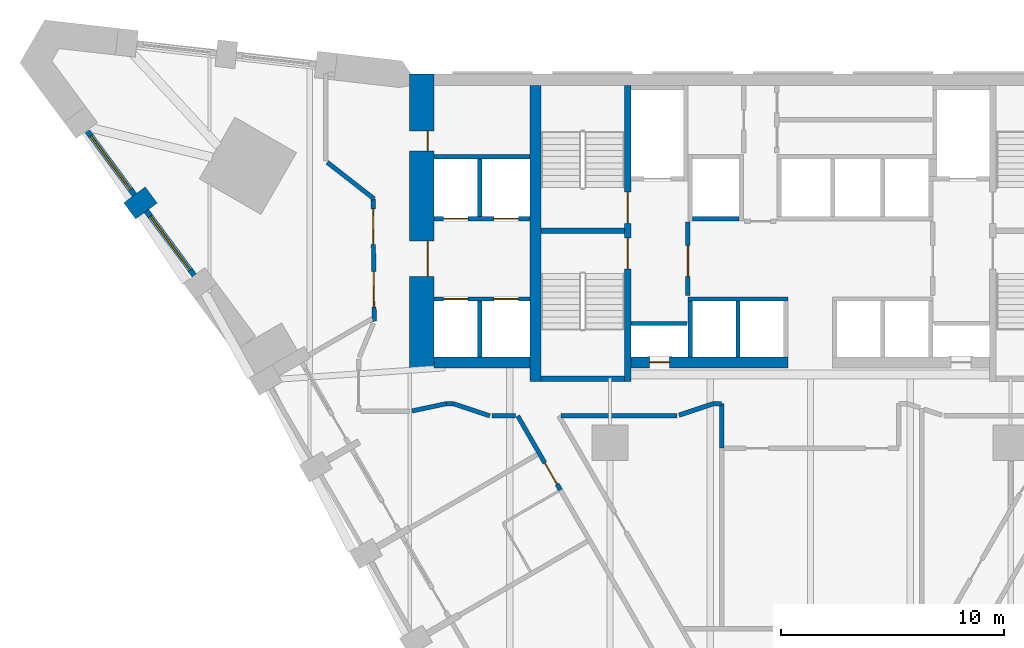
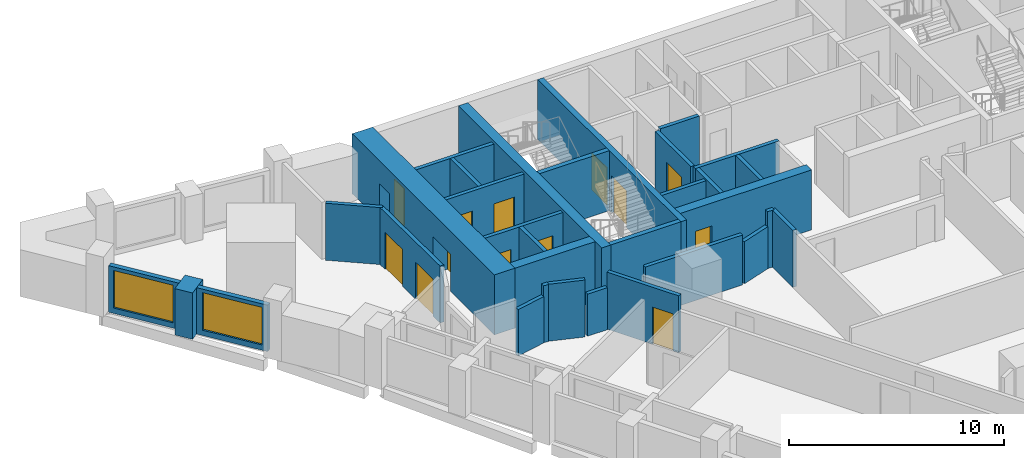
# One storey, part 5 of 10: 32 walls, 13 doors, 2 windows, 15 openings.
"""IFC4 building model written with IfcOpenShell, lengths in metres."""

from ifc_helpers import new_model, si_unit, direction, frame, frame_2d, origin, place, context, subcontext, project, spatial, rectangle, extrude, material, layer, layer_set, type_object, element, fill, save


model = new_model("IFC4")

# Units and contexts
model_context = context("Model", 3, precision=1e-05, world=origin(), true_north=direction((0.0, 1.0)))
body_context = subcontext(model_context, "Body", "Model", "MODEL_VIEW")
ifc_project = project(units=[si_unit("LENGTHUNIT", "METRE"), si_unit("AREAUNIT", "SQUARE_METRE"), si_unit("VOLUMEUNIT", "CUBIC_METRE"), si_unit("PLANEANGLEUNIT", "RADIAN"), si_unit("MASSUNIT", "GRAM", prefix="KILO")], contexts=[model_context])

# Site, building, storey
site_placement = place(None, origin())
site = spatial("IfcSite", under=ifc_project, at=site_placement, CompositionType="ELEMENT")
building_placement = place(site_placement, origin())
building = spatial("IfcBuilding", under=site, at=building_placement, Name="Calabash Gate Tower", CompositionType="ELEMENT")
storey_placement = place(building_placement, frame((0.0, 0.0, 56.199951171875)))
storey = spatial("IfcBuildingStorey", under=building, at=storey_placement, Name="L09", CompositionType="ELEMENT", Elevation=56.199951171875)

# Wall
ifc_material_1 = material(Name="Terracotta brick masonry, exposed face", Category="masonry")
ifc_layer_1 = layer(ifc_material_1, 1.199951171875)
ifc_layer_set_1 = layer_set([ifc_layer_1], Name="Brick end wall 1200")
wall_type_1 = type_object("IfcWallType", Name="Brick end wall 1200", PredefinedType="SOLIDWALL", material=ifc_layer_set_1)
wall_1_placement = place(storey_placement, frame((-30.581787109375, 12.91015625, 0.0), z_axis=(0.0, 0.0, 1.0), x_axis=(0.803549985832, 0.595237280644, 0.0)))
element("IfcWall", 1, at=wall_1_placement, inside=storey, type_object=wall_type_1, Name="Brick pier S02 wedge7.1", PredefinedType="SOLIDWALL", context=body_context, shape_type="SweptSolid", body=[
    extrude(rectangle(XDim=1.2001953125, YDim=0.89990234375, at=frame_2d((0.60009765625, 0.0))), origin(), (0.0, 0.0, 1.0), 2.630126953125),
])

# Wall, openings, doors
ifc_material_2 = material(Name="Concrete C80/95", Category="concrete")
ifc_layer_2 = layer(ifc_material_2, 1.10009765625)
ifc_layer_set_2 = layer_set([ifc_layer_2], Name="Core wall 1100 Concrete C80/95")
wall_type_2 = type_object("IfcWallType", Name="Core wall 1100 Concrete C80/95", PredefinedType="SHEAR", material=ifc_layer_set_2)
wall_2_placement = place(storey_placement, frame((-17.449951171875, 5.8525390625, 0.0), z_axis=(0.0, 0.0, 1.0), x_axis=(0.0, 1.0, 0.0)))
wall_2 = element("IfcWall", 2, at=wall_2_placement, inside=storey, type_object=wall_type_2, Name="Core wall Z1-ENDW L09", PredefinedType="SHEAR", context=body_context, shape_type="SweptSolid", body=[
    extrude(rectangle(XDim=13.199951171875, YDim=1.10009765625, at=frame_2d((6.60009765625, 0.0))), origin(), (0.0, 0.0, 1.0), 3.400146484375),
])
opening_1_placement = place(wall_2_placement, frame((4.10009765625, 0.0, 0.0)))
opening_1 = element("IfcOpeningElement", 3, at=opening_1_placement, cuts=wall_2, Name="Opening H2-003", PredefinedType="OPENING", context=body_context, shape_type="SweptSolid", body=[
    extrude(rectangle(XDim=1.60009765625, YDim=2.10009765625, at=frame_2d((0.800048828125, 1.050048828125))), frame((0.0, 0.56005859375, 0.0), z_axis=(0.0, -1.0, 0.0), x_axis=(1.0, 0.0, 0.0)), (0.0, 0.0, 1.0), 1.1201171875),
])
opening_2_placement = place(wall_2_placement, frame((9.75, 0.0, 0.0)))
opening_2 = element("IfcOpeningElement", 4, at=opening_2_placement, cuts=wall_2, Name="Opening H2-004", PredefinedType="OPENING", context=body_context, shape_type="SweptSolid", body=[
    extrude(rectangle(XDim=0.89990234375, YDim=2.10009765625, at=frame_2d((0.449951171875, 1.050048828125))), frame((0.0, 0.56005859375, 0.0), z_axis=(0.0, -1.0, 0.0), x_axis=(1.0, 0.0, 0.0)), (0.0, 0.0, 1.0), 1.1201171875),
])
ifc_material_3 = material(Name="Steel fire door set with fire-resisting glazing", Category="steel")
door_type_1 = type_object("IfcDoorType", Name="Double fire door D08 1600x2100 FD60", OperationType="DOUBLE_DOOR_SINGLE_SWING", PredefinedType="DOOR", material=ifc_material_3)
door_1_placement = place(opening_1_placement, origin())
door_1 = element("IfcDoor", 5, at=door_1_placement, inside=storey, type_object=door_type_1, Name="Low-rise Lift Lobby W door", OperationType="DOUBLE_DOOR_SINGLE_SWING", OverallHeight=2.10009765625, OverallWidth=1.60009765625, PredefinedType="DOOR", context=body_context, shape_type="SweptSolid", body=[
    extrude(rectangle(XDim=1.60009765625, YDim=2.10009765625, at=frame_2d((0.800048828125, 1.050048828125))), frame((0.0, -0.22509765625, 0.0), z_axis=(0.0, -1.0, 0.0), x_axis=(1.0, 0.0, 0.0)), (0.0, 0.0, 1.0), 0.050048828125),
])
fill(opening_1, door_1)
ifc_material_4 = material(Name="Steel fire door set with fire-resisting glazing", Category="steel")
door_type_2 = type_object("IfcDoorType", Name="Fire door D06 900x2100 FD60", OperationType="NOTDEFINED", PredefinedType="DOOR", material=ifc_material_4)
door_2_placement = place(opening_2_placement, origin())
door_2 = element("IfcDoor", 6, at=door_2_placement, inside=storey, type_object=door_type_2, Name="Luggage Store door", OperationType="SINGLE_SWING_RIGHT", OverallHeight=2.10009765625, OverallWidth=0.89990234375, PredefinedType="DOOR", context=body_context, shape_type="SweptSolid", body=[
    extrude(rectangle(XDim=0.89990234375, YDim=2.10009765625, at=frame_2d((0.449951171875, 1.050048828125))), frame((0.0, -0.22509765625, 0.0), z_axis=(0.0, -1.0, 0.0), x_axis=(1.0, 0.0, 0.0)), (0.0, 0.0, 1.0), 0.050048828125),
])
fill(opening_2, door_2)

# Walls
ifc_material_5 = material(Name="Concrete C80/95", Category="concrete")
ifc_layer_3 = layer(ifc_material_5, 0.25)
ifc_layer_set_3 = layer_set([ifc_layer_3], Name="Core wall 250 Concrete C80/95")
wall_type_3 = type_object("IfcWallType", Name="Core wall 250 Concrete C80/95", PredefinedType="SHEAR", material=ifc_layer_set_3)
for number, where, z_axis, x_axis, name in (
    (7, (-12.10009765625, 12.027587890625, 0.0), (0.0, 0.0, 1.0), (1.0, 0.0, 0.0), "Core wall Z1-MIDW L09"),
    (8, (-12.10009765625, 5.377685546875, 0.0), (0.0, 0.0, 1.0), (1.0, 0.0, 0.0), "Core wall Z1-SSW L09"),
):
    element("IfcWall", number, at=place(storey_placement, frame(where, z_axis=z_axis, x_axis=x_axis)), inside=storey, type_object=wall_type_3, Name=name, PredefinedType="SHEAR", context=body_context, shape_type="SweptSolid", body=[
        extrude(rectangle(XDim=3.75, YDim=0.25, at=frame_2d((1.875, 0.0))), origin(), (0.0, 0.0, 1.0), 3.400146484375),
    ])

# Wall, openings, doors
ifc_material_6 = material(Name="Concrete C80/95", Category="concrete")
ifc_layer_4 = layer(ifc_material_6, 0.300048828125)
ifc_layer_set_4 = layer_set([ifc_layer_4], Name="Core wall 300 Concrete C80/95")
wall_type_4 = type_object("IfcWallType", Name="Core wall 300 Concrete C80/95", PredefinedType="SHEAR", material=ifc_layer_set_4)
wall_3_placement = place(storey_placement, frame((-8.199951171875, 5.252685546875, 0.0), z_axis=(0.0, 0.0, 1.0), x_axis=(0.0, 1.0, 0.0)))
wall_3 = element("IfcWall", 9, at=wall_3_placement, inside=storey, type_object=wall_type_4, Name="Core wall Z1-PARTW L09", PredefinedType="SHEAR", context=body_context, shape_type="SweptSolid", body=[
    extrude(rectangle(XDim=13.2998046875, YDim=0.300048828125, at=frame_2d((6.64990234375, 0.0))), origin(), (0.0, 0.0, 1.0), 3.400146484375),
])
opening_3_placement = place(wall_3_placement, frame((7.10009765625, 0.0, 0.0)))
opening_3 = element("IfcOpeningElement", 10, at=opening_3_placement, cuts=wall_3, Name="Opening H2-013", PredefinedType="OPENING", context=body_context, shape_type="SweptSolid", body=[
    extrude(rectangle(XDim=1.39990234375, YDim=2.10009765625, at=frame_2d((0.699951171875, 1.050048828125))), frame((0.0, 0.159912109375, 0.0), z_axis=(0.0, -1.0, 0.0), x_axis=(1.0, 0.0, 0.0)), (0.0, 0.0, 1.0), 0.320068359375),
])
opening_4_placement = place(wall_3_placement, frame((5.050048828125, 0.0, 0.0)))
opening_4 = element("IfcOpeningElement", 11, at=opening_4_placement, cuts=wall_3, Name="Opening H2-014", PredefinedType="OPENING", context=body_context, shape_type="SweptSolid", body=[
    extrude(rectangle(XDim=1.39990234375, YDim=2.10009765625, at=frame_2d((0.699951171875, 1.050048828125))), frame((0.0, 0.159912109375, 0.0), z_axis=(0.0, -1.0, 0.0), x_axis=(1.0, 0.0, 0.0)), (0.0, 0.0, 1.0), 0.320068359375),
])
ifc_material_7 = material(Name="Steel fire door set with fire-resisting glazing", Category="steel")
door_type_3 = type_object("IfcDoorType", Name="Fire door D05 1400x2100 FD90", OperationType="NOTDEFINED", PredefinedType="DOOR", material=ifc_material_7)
door_3_placement = place(opening_3_placement, origin())
door_3 = element("IfcDoor", 12, at=door_3_placement, inside=storey, type_object=door_type_3, Name="Exit stair door ST1", OperationType="SINGLE_SWING_LEFT", OverallHeight=2.10009765625, OverallWidth=1.39990234375, PredefinedType="DOOR", context=body_context, shape_type="SweptSolid", body=[
    extrude(rectangle(XDim=1.39990234375, YDim=2.10009765625, at=frame_2d((0.699951171875, 1.050048828125))), frame((0.0, 0.02490234375, 0.0), z_axis=(0.0, -1.0, 0.0), x_axis=(1.0, 0.0, 0.0)), (0.0, 0.0, 1.0), 0.050048828125),
])
fill(opening_3, door_3)
door_4_placement = place(opening_4_placement, origin())
door_4 = element("IfcDoor", 13, at=door_4_placement, inside=storey, type_object=door_type_3, Name="Exit stair door ST2", OperationType="SINGLE_SWING_LEFT", OverallHeight=2.10009765625, OverallWidth=1.39990234375, PredefinedType="DOOR", context=body_context, shape_type="SweptSolid", body=[
    extrude(rectangle(XDim=1.39990234375, YDim=2.10009765625, at=frame_2d((0.699951171875, 1.050048828125))), frame((0.0, 0.02490234375, 0.0), z_axis=(0.0, -1.0, 0.0), x_axis=(1.0, 0.0, 0.0)), (0.0, 0.0, 1.0), 0.050048828125),
])
fill(opening_4, door_4)

# Wall
ifc_material_8 = material(Name="Concrete C80/95", Category="concrete")
ifc_layer_5 = layer(ifc_material_8, 0.5)
ifc_layer_set_5 = layer_set([ifc_layer_5], Name="Core wall 500 Concrete C80/95")
wall_type_5 = type_object("IfcWallType", Name="Core wall 500 Concrete C80/95", PredefinedType="SHEAR", material=ifc_layer_set_5)
wall_4_placement = place(storey_placement, frame((-12.35009765625, 5.252685546875, 0.0), z_axis=(0.0, 0.0, 1.0), x_axis=(0.0, 1.0, 0.0)))
element("IfcWall", 14, at=wall_4_placement, inside=storey, type_object=wall_type_5, Name="Core wall Z1-COLW L09", PredefinedType="SHEAR", context=body_context, shape_type="SweptSolid", body=[
    extrude(rectangle(XDim=13.2998046875, YDim=0.5, at=frame_2d((6.64990234375, 0.0))), origin(), (0.0, 0.0, 1.0), 3.400146484375),
])

# Wall, opening, door
wall_5_placement = place(storey_placement, frame((-8.050048828125, 6.1025390625, 0.0), z_axis=(0.0, 0.0, 1.0), x_axis=(1.0, 0.0, 0.0)))
wall_5 = element("IfcWall", 15, at=wall_5_placement, inside=storey, type_object=wall_type_5, Name="Core wall Z1-SA L09", PredefinedType="SHEAR", context=body_context, shape_type="SweptSolid", body=[
    extrude(rectangle(XDim=7.050048828125, YDim=0.5, at=frame_2d((3.52490234375, 0.0))), origin(), (0.0, 0.0, 1.0), 3.400146484375),
])
opening_5_placement = place(wall_5_placement, frame((0.824951171875, 0.0, 0.0)))
opening_5 = element("IfcOpeningElement", 16, at=opening_5_placement, cuts=wall_5, Name="Opening H2-012", PredefinedType="OPENING", context=body_context, shape_type="SweptSolid", body=[
    extrude(rectangle(XDim=0.89990234375, YDim=2.10009765625, at=frame_2d((0.449951171875, 1.050048828125))), frame((0.0, 0.260009765625, 0.0), z_axis=(0.0, -1.0, 0.0), x_axis=(1.0, 0.0, 0.0)), (0.0, 0.0, 1.0), 0.52001953125),
])
ifc_material_9 = material(Name="Steel fire door set with fire-resisting glazing", Category="steel")
door_type_4 = type_object("IfcDoorType", Name="Fire door D07 900x2100 FD90", OperationType="NOTDEFINED", PredefinedType="DOOR", material=ifc_material_9)
door_5_placement = place(opening_5_placement, origin())
door_5 = element("IfcDoor", 17, at=door_5_placement, inside=storey, type_object=door_type_4, Name="Electrical Riser W door", OperationType="SINGLE_SWING_LEFT", OverallHeight=2.10009765625, OverallWidth=0.89990234375, PredefinedType="DOOR", context=body_context, shape_type="SweptSolid", body=[
    extrude(rectangle(XDim=0.89990234375, YDim=2.10009765625, at=frame_2d((0.449951171875, 1.050048828125))), frame((0.0, 0.02490234375, 0.0), z_axis=(0.0, -1.0, 0.0), x_axis=(1.0, 0.0, 0.0)), (0.0, 0.0, 1.0), 0.050048828125),
])
fill(opening_5, door_5)

# Wall
wall_6_placement = place(storey_placement, frame((-12.60009765625, 6.1025390625, 0.0), z_axis=(0.0, 0.0, 1.0), x_axis=(-1.0, 0.0, 0.0)))
element("IfcWall", 18, at=wall_6_placement, inside=storey, type_object=wall_type_5, Name="Core wall Z1-SW L09", PredefinedType="SHEAR", context=body_context, shape_type="SweptSolid", body=[
    extrude(rectangle(XDim=4.2998046875, YDim=0.5, at=frame_2d((2.14990234375, 0.0))), origin(), (0.0, 0.0, 1.0), 3.400146484375),
])

# Wall, opening, door
ifc_material_10 = material(Name="Gypsum board on steel studs, mineral wool", Category="steel")
ifc_layer_6 = layer(ifc_material_10, 0.199951171875)
ifc_layer_set_6 = layer_set([ifc_layer_6], Name="Partition 200 gypsum board EI 60")
wall_type_6 = type_object("IfcWallType", Name="Partition 200 gypsum board EI 60", PredefinedType="PARTITIONING", material=ifc_layer_set_6)
wall_7_placement = place(storey_placement, frame((-13.1474609375, 3.699462890625, 0.0), z_axis=(0.0, 0.0, 1.0), x_axis=(0.499337423021, -0.866407604982, 0.0)))
wall_7 = element("IfcWall", 19, at=wall_7_placement, inside=storey, type_object=wall_type_6, Name="Partition", PredefinedType="PARTITIONING", context=body_context, shape_type="SweptSolid", body=[
    extrude(rectangle(XDim=3.843017578125, YDim=0.199951171875, at=frame_2d((1.92138671875, 0.0))), origin(), (0.0, 0.0, 1.0), 3.22998046875),
])
opening_6_placement = place(wall_7_placement, frame((2.443115234375, 0.0, 0.0)))
opening_6 = element("IfcOpeningElement", 20, at=opening_6_placement, cuts=wall_7, Name="Opening 09-11-001", PredefinedType="OPENING", context=body_context, shape_type="SweptSolid", body=[
    extrude(rectangle(XDim=1.10009765625, YDim=2.10009765625, at=frame_2d((0.550048828125, 1.050048828125))), frame((0.0, 0.10986328125, 0.0), z_axis=(0.0, -1.0, 0.0), x_axis=(1.0, 0.0, 0.0)), (0.0, 0.0, 1.0), 0.219970703125),
])
ifc_material_11 = material(Name="Steel fire door set with fire-resisting glazing", Category="steel")
door_type_5 = type_object("IfcDoorType", Name="GD2 Accessible guest room entrance door 1100x2100", OperationType="NOTDEFINED", PredefinedType="DOOR", material=ifc_material_11)
door_6_placement = place(opening_6_placement, origin())
door_6 = element("IfcDoor", 21, at=door_6_placement, inside=storey, type_object=door_type_5, Name="Accessible guest room entrance door", OperationType="SINGLE_SWING_RIGHT", OverallHeight=2.10009765625, OverallWidth=1.10009765625, PredefinedType="DOOR", context=body_context, shape_type="SweptSolid", body=[
    extrude(rectangle(XDim=1.10009765625, YDim=2.10009765625, at=frame_2d((0.550048828125, 1.050048828125))), frame((0.0, 0.02490234375, 0.0), z_axis=(0.0, -1.0, 0.0), x_axis=(1.0, 0.0, 0.0)), (0.0, 0.0, 1.0), 0.050048828125),
])
fill(opening_6, door_6)

# Walls
wall_8_placement = place(storey_placement, frame((-3.98193359375, 4.25048828125, 0.0), z_axis=(0.0, 0.0, 1.0), x_axis=(0.000855327155, -0.999999634208, 0.0)))
element("IfcWall", 22, at=wall_8_placement, inside=storey, type_object=wall_type_6, Name="Partition", PredefinedType="PARTITIONING", context=body_context, shape_type="SweptSolid", body=[
    extrude(rectangle(XDim=1.998046875, YDim=0.199951171875, at=frame_2d((0.9990234375, 0.0))), origin(), (0.0, 0.0, 1.0), 3.22998046875),
])
wall_9_placement = place(storey_placement, frame((-16.057861328125, 4.252197265625, 0.0), z_axis=(0.0, 0.0, 1.0), x_axis=(0.948655351627, -0.316311592943, 0.0)))
element("IfcWall", 23, at=wall_9_placement, inside=storey, type_object=wall_type_6, Name="Partition", PredefinedType="PARTITIONING", context=body_context, shape_type="SweptSolid", body=[
    extrude(rectangle(XDim=1.747314453125, YDim=0.199951171875, at=frame_2d((0.87353515625, 0.0))), origin(), (0.0, 0.0, 1.0), 3.22998046875),
])
wall_10_placement = place(storey_placement, frame((-14.300048828125, 3.699462890625, 0.0), z_axis=(0.0, 0.0, 1.0), x_axis=(1.0, 0.0, 0.0)))
element("IfcWall", 24, at=wall_10_placement, inside=storey, type_object=wall_type_6, Name="Partition", PredefinedType="PARTITIONING", context=body_context, shape_type="SweptSolid", body=[
    extrude(rectangle(XDim=1.052490234375, YDim=0.199951171875, at=frame_2d((0.5263671875, 0.0))), origin(), (0.0, 0.0, 1.0), 2.384033203125),
])
wall_11_placement = place(storey_placement, frame((-11.199462890625, 3.69970703125, 0.0), z_axis=(0.0, 0.0, 1.0), x_axis=(1.0, 0.0, 0.0)))
element("IfcWall", 25, at=wall_11_placement, inside=storey, type_object=wall_type_6, Name="Partition", PredefinedType="PARTITIONING", context=body_context, shape_type="SweptSolid", body=[
    extrude(rectangle(XDim=5.199462890625, YDim=0.199951171875, at=frame_2d((2.599609375, 0.0))), origin(), (0.0, 0.0, 1.0), 2.83154296875),
])
wall_12_placement = place(storey_placement, frame((-17.902099609375, 3.92041015625, 0.0), z_axis=(0.0, 0.0, 1.0), x_axis=(0.978117199083, 0.208054667953, 0.0)))
element("IfcWall", 26, at=wall_12_placement, inside=storey, type_object=wall_type_6, Name="Partition", PredefinedType="PARTITIONING", context=body_context, shape_type="SweptSolid", body=[
    extrude(rectangle(XDim=1.5947265625, YDim=0.199951171875, at=frame_2d((0.79736328125, 0.0))), origin(), (0.0, 0.0, 1.0), 2.6279296875),
])
wall_13_placement = place(storey_placement, frame((-16.34228515625, 4.252197265625, 0.0), z_axis=(0.0, 0.0, 1.0), x_axis=(1.0, 0.0, 0.0)))
element("IfcWall", 27, at=wall_13_placement, inside=storey, type_object=wall_type_6, Name="Partition", PredefinedType="PARTITIONING", context=body_context, shape_type="SweptSolid", body=[
    extrude(rectangle(XDim=0.284423828125, YDim=0.199951171875, at=frame_2d((0.14208984375, 0.0))), origin(), (0.0, 0.0, 1.0), 3.22998046875),
])
wall_14_placement = place(storey_placement, frame((-5.905029296875, 3.7314453125, 0.0), z_axis=(0.0, 0.0, 1.0), x_axis=(0.948668476379, 0.316272227557, 0.0)))
element("IfcWall", 28, at=wall_14_placement, inside=storey, type_object=wall_type_6, Name="Partition", PredefinedType="PARTITIONING", context=body_context, shape_type="SweptSolid", body=[
    extrude(rectangle(XDim=1.647216796875, YDim=0.199951171875, at=frame_2d((0.82373046875, 0.0))), origin(), (0.0, 0.0, 1.0), 2.384033203125),
])
wall_15_placement = place(storey_placement, frame((-4.34228515625, 4.25244140625, 0.0), z_axis=(0.0, 0.0, 1.0), x_axis=(0.99998531183, -0.00541997459, 0.0)))
element("IfcWall", 29, at=wall_15_placement, inside=storey, type_object=wall_type_6, Name="Partition", PredefinedType="PARTITIONING", context=body_context, shape_type="SweptSolid", body=[
    extrude(rectangle(XDim=0.3603515625, YDim=0.199951171875, at=frame_2d((0.18017578125, 0.0))), origin(), (0.0, 0.0, 1.0), 3.22998046875),
])

# Wall, openings, doors
wall_16_placement = place(storey_placement, frame((-19.6494140625, 13.451904296875, 0.0), z_axis=(0.0, 0.0, 1.0), x_axis=(0.00887867333, -0.999960583803, 0.0)))
wall_16 = element("IfcWall", 30, at=wall_16_placement, inside=storey, type_object=wall_type_6, Name="Partition", PredefinedType="PARTITIONING", context=body_context, shape_type="SweptSolid", body=[
    extrude(rectangle(XDim=5.49951171875, YDim=0.199951171875, at=frame_2d((2.749755859375, 0.0))), origin(), (0.0, 0.0, 1.0), 3.22998046875),
])
opening_7_placement = place(wall_16_placement, frame((3.265625, 0.0, 0.0)))
opening_7 = element("IfcOpeningElement", 31, at=opening_7_placement, cuts=wall_16, Name="Opening 09-11-016", PredefinedType="OPENING", context=body_context, shape_type="SweptSolid", body=[
    extrude(rectangle(XDim=1.60009765625, YDim=2.10009765625, at=frame_2d((0.800048828125, 1.050048828125))), frame((0.0, 0.10986328125, 0.0), z_axis=(0.0, -1.0, 0.0), x_axis=(1.0, 0.0, 0.0)), (0.0, 0.0, 1.0), 0.219970703125),
])
opening_8_placement = place(wall_16_placement, frame((0.4501953125, 0.0, 0.0)))
opening_8 = element("IfcOpeningElement", 32, at=opening_8_placement, cuts=wall_16, Name="Opening 09-11-017", PredefinedType="OPENING", context=body_context, shape_type="SweptSolid", body=[
    extrude(rectangle(XDim=1.60009765625, YDim=2.10009765625, at=frame_2d((0.800048828125, 1.050048828125))), frame((0.0, 0.10986328125, 0.0), z_axis=(0.0, -1.0, 0.0), x_axis=(1.0, 0.0, 0.0)), (0.0, 0.0, 1.0), 0.219970703125),
])
ifc_material_12 = material(Name="Steel fire door set with fire-resisting glazing", Category="steel")
door_type_6 = type_object("IfcDoorType", Name="LD1 Lounge double door 1600x2100", OperationType="NOTDEFINED", PredefinedType="DOOR", material=ifc_material_12)
door_7_placement = place(opening_7_placement, origin())
door_7 = element("IfcDoor", 33, at=door_7_placement, inside=storey, type_object=door_type_6, Name="Lounge double door", OperationType="DOUBLE_DOOR_SINGLE_SWING", OverallHeight=2.10009765625, OverallWidth=1.60009765625, PredefinedType="DOOR", context=body_context, shape_type="SweptSolid", body=[
    extrude(rectangle(XDim=1.60009765625, YDim=2.10009765625, at=frame_2d((0.800048828125, 1.050048828125))), frame((0.0, 0.02490234375, 0.0), z_axis=(0.0, -1.0, 0.0), x_axis=(1.0, 0.0, 0.0)), (0.0, 0.0, 1.0), 0.050048828125),
])
fill(opening_7, door_7)
door_8_placement = place(opening_8_placement, origin())
door_8 = element("IfcDoor", 34, at=door_8_placement, inside=storey, type_object=door_type_6, Name="Lounge double door", OperationType="DOUBLE_DOOR_SINGLE_SWING", OverallHeight=2.10009765625, OverallWidth=1.60009765625, PredefinedType="DOOR", context=body_context, shape_type="SweptSolid", body=[
    extrude(rectangle(XDim=1.60009765625, YDim=2.10009765625, at=frame_2d((0.800048828125, 1.050048828125))), frame((0.0, 0.02490234375, 0.0), z_axis=(0.0, -1.0, 0.0), x_axis=(1.0, 0.0, 0.0)), (0.0, 0.0, 1.0), 0.050048828125),
])
fill(opening_8, door_8)

# Wall
wall_17_placement = place(storey_placement, frame((-21.703369140625, 15.0908203125, 0.0), z_axis=(0.0, 0.0, 1.0), x_axis=(0.788819319895, -0.614625154513, 0.0)))
element("IfcWall", 35, at=wall_17_placement, inside=storey, type_object=wall_type_6, Name="Partition", PredefinedType="PARTITIONING", context=body_context, shape_type="SweptSolid", body=[
    extrude(rectangle(XDim=2.665771484375, YDim=0.199951171875, at=frame_2d((1.3330078125, 0.0))), origin(), (0.0, 0.0, 1.0), 3.22998046875),
])

# Wall, opening, window
ifc_material_13 = material(Name="Aluminium framed window wall with insulated spandrel", Category="aluminium")
ifc_layer_7 = layer(ifc_material_13, 0.25)
ifc_layer_set_7 = layer_set([ifc_layer_7], Name="Prow window wall 250")
wall_type_7 = type_object("IfcWallType", Name="Prow window wall 250", PredefinedType="ELEMENTEDWALL", material=ifc_layer_set_7)
wall_18_placement = place(storey_placement, frame((-32.480712890625, 16.481201171875, 0.0), z_axis=(0.0, 0.0, 1.0), x_axis=(0.595304805086, -0.803499962067, 0.0)))
wall_18 = element("IfcWall", 36, at=wall_18_placement, inside=storey, type_object=wall_type_7, Name="Prow window wall S02 wedge7.1", PredefinedType="ELEMENTEDWALL", context=body_context, shape_type="SweptSolid", body=[
    extrude(rectangle(XDim=3.552001953125, YDim=0.25, at=frame_2d((1.77587890625, 0.0))), origin(), (0.0, 0.0, 1.0), 2.630126953125),
])
opening_9_placement = place(wall_18_placement, frame((0.25, 0.0, 0.300048828125)))
opening_9 = element("IfcOpeningElement", 37, at=opening_9_placement, cuts=wall_18, Name="Opening WP1L-2130", PredefinedType="OPENING", context=body_context, shape_type="SweptSolid", body=[
    extrude(rectangle(XDim=3.0, YDim=2.1298828125, at=frame_2d((1.5, 1.06494140625))), frame((0.0, 0.135009765625, 0.0), z_axis=(0.0, -1.0, 0.0), x_axis=(1.0, 0.0, 0.0)), (0.0, 0.0, 1.0), 0.27001953125),
])
ifc_material_14 = material(Name="Anodised aluminium frame, bronze finish, impact-rated laminated clear glazing", Category="aluminium")
window_type = type_object("IfcWindowType", Name="Window WP1L 3000x2130", PartitioningType="DOUBLE_PANEL_VERTICAL", PredefinedType="WINDOW", material=ifc_material_14)
window_1_placement = place(opening_9_placement, origin())
window_1 = element("IfcWindow", 38, at=window_1_placement, inside=storey, type_object=window_type, Name="Prow window WP1L S02 wedge7.1", OverallHeight=2.1298828125, OverallWidth=3.0, PartitioningType="SINGLE_PANEL", PredefinedType="WINDOW", context=body_context, shape_type="SweptSolid", body=[
    extrude(rectangle(XDim=3.0, YDim=2.1298828125, at=frame_2d((1.5, 1.06494140625))), frame((0.0, 0.030029296875, 0.0), z_axis=(0.0, -1.0, 0.0), x_axis=(1.0, 0.0, 0.0)), (0.0, 0.0, 1.0), 0.06005859375),
])
fill(opening_9, window_1)

wall_19_placement = place(storey_placement, frame((-29.831787109375, 12.905517578125, 0.0), z_axis=(0.0, 0.0, 1.0), x_axis=(0.595302153335, -0.803501926715, 0.0)))
wall_19 = element("IfcWall", 39, at=wall_19_placement, inside=storey, type_object=wall_type_7, Name="Prow window wall S02 wedge7.2", PredefinedType="ELEMENTEDWALL", context=body_context, shape_type="SweptSolid", body=[
    extrude(rectangle(XDim=3.599853515625, YDim=0.25, at=frame_2d((1.7998046875, 0.0))), origin(), (0.0, 0.0, 1.0), 2.630126953125),
])
opening_10_placement = place(wall_19_placement, frame((0.300048828125, 0.0, 0.300048828125)))
opening_10 = element("IfcOpeningElement", 40, at=opening_10_placement, cuts=wall_19, Name="Opening WP1L-2130", PredefinedType="OPENING", context=body_context, shape_type="SweptSolid", body=[
    extrude(rectangle(XDim=3.0, YDim=2.1298828125, at=frame_2d((1.5, 1.06494140625))), frame((0.0, 0.135009765625, 0.0), z_axis=(0.0, -1.0, 0.0), x_axis=(1.0, 0.0, 0.0)), (0.0, 0.0, 1.0), 0.27001953125),
])
window_2_placement = place(opening_10_placement, origin())
window_2 = element("IfcWindow", 41, at=window_2_placement, inside=storey, type_object=window_type, Name="Prow window WP1L S02 wedge7.2", OverallHeight=2.1298828125, OverallWidth=3.0, PartitioningType="SINGLE_PANEL", PredefinedType="WINDOW", context=body_context, shape_type="SweptSolid", body=[
    extrude(rectangle(XDim=3.0, YDim=2.1298828125, at=frame_2d((1.5, 1.06494140625))), frame((0.0, 0.030029296875, 0.0), z_axis=(0.0, -1.0, 0.0), x_axis=(1.0, 0.0, 0.0)), (0.0, 0.0, 1.0), 0.06005859375),
])
fill(opening_10, window_2)

# Walls
ifc_material_15 = material(Name="Concrete C40/50", Category="concrete")
ifc_layer_8 = layer(ifc_material_15, 0.199951171875)
ifc_layer_set_8 = layer_set([ifc_layer_8], Name="Shaft wall 200 Concrete C40/50")
wall_type_8 = type_object("IfcWallType", Name="Shaft wall 200 Concrete C40/50", PredefinedType="SOLIDWALL", material=ifc_layer_set_8)
for number, where, z_axis, x_axis, name in (
    (42, (-14.85009765625, 6.3525390625, 0.0), (0.0, 0.0, 1.0), (0.0, 1.0, 0.0), "Shaft wall"),
    (43, (-5.39990234375, 6.3525390625, 0.0), (0.0, 0.0, 1.0), (0.0, 1.0, 0.0), "Shaft wall"),
    (44, (-3.25, 6.3525390625, 0.0), (0.0, 0.0, 1.0), (0.0, 1.0, 0.0), "Shaft wall"),
    (45, (-8.050048828125, 7.8525390625, 0.0), (0.0, 0.0, 1.0), (1.0, 0.0, 0.0), "Shaft wall"),
):
    element("IfcWall", number, at=place(storey_placement, frame(where, z_axis=z_axis, x_axis=x_axis)), inside=storey, type_object=wall_type_8, Name=name, PredefinedType="SOLIDWALL", context=body_context, shape_type="SweptSolid", body=[
        extrude(rectangle(XDim=2.5, YDim=0.199951171875, at=frame_2d((1.25, 0.0))), origin(), (0.0, 0.0, 1.0), 3.22998046875),
    ])

# Wall, openings, doors
wall_20_placement = place(storey_placement, frame((-16.89990234375, 8.95263671875, 0.0), z_axis=(0.0, 0.0, 1.0), x_axis=(1.0, 0.0, 0.0)))
wall_20 = element("IfcWall", 46, at=wall_20_placement, inside=storey, type_object=wall_type_8, Name="Shaft wall", PredefinedType="SOLIDWALL", context=body_context, shape_type="SweptSolid", body=[
    extrude(rectangle(XDim=4.2998046875, YDim=0.199951171875, at=frame_2d((2.14990234375, 0.0))), origin(), (0.0, 0.0, 1.0), 3.22998046875),
])
opening_11_placement = place(wall_20_placement, frame((2.675048828125, 0.0, 0.0)))
opening_11 = element("IfcOpeningElement", 47, at=opening_11_placement, cuts=wall_20, Name="Opening LD-LR1", PredefinedType="OPENING", context=body_context, shape_type="SweptSolid", body=[
    extrude(rectangle(XDim=1.10009765625, YDim=2.10009765625, at=frame_2d((0.550048828125, 1.050048828125))), frame((0.0, 0.10986328125, 0.0), z_axis=(0.0, -1.0, 0.0), x_axis=(1.0, 0.0, 0.0)), (0.0, 0.0, 1.0), 0.219970703125),
])
opening_12_placement = place(wall_20_placement, frame((0.425048828125, 0.0, 0.0)))
opening_12 = element("IfcOpeningElement", 48, at=opening_12_placement, cuts=wall_20, Name="Opening LD-LR2", PredefinedType="OPENING", context=body_context, shape_type="SweptSolid", body=[
    extrude(rectangle(XDim=1.10009765625, YDim=2.10009765625, at=frame_2d((0.550048828125, 1.050048828125))), frame((0.0, 0.10986328125, 0.0), z_axis=(0.0, -1.0, 0.0), x_axis=(1.0, 0.0, 0.0)), (0.0, 0.0, 1.0), 0.219970703125),
])
ifc_material_16 = material(Name="Stainless steel sliding door leaves", Category="steel")
door_type_7 = type_object("IfcDoorType", Name="Lift landing door LS1 1100x2100 FD90", OperationType="DOUBLE_DOOR_SLIDING", PredefinedType="DOOR", material=ifc_material_16)
door_9_placement = place(opening_11_placement, origin())
door_9 = element("IfcDoor", 49, at=door_9_placement, inside=storey, type_object=door_type_7, Name="Lift landing door LR1", OperationType="DOUBLE_DOOR_SLIDING", OverallHeight=2.10009765625, OverallWidth=1.10009765625, PredefinedType="DOOR", context=body_context, shape_type="SweptSolid", body=[
    extrude(rectangle(XDim=1.10009765625, YDim=2.10009765625, at=frame_2d((0.550048828125, 1.050048828125))), frame((0.0, 0.02490234375, 0.0), z_axis=(0.0, -1.0, 0.0), x_axis=(1.0, 0.0, 0.0)), (0.0, 0.0, 1.0), 0.050048828125),
])
fill(opening_11, door_9)
door_10_placement = place(opening_12_placement, origin())
door_10 = element("IfcDoor", 50, at=door_10_placement, inside=storey, type_object=door_type_7, Name="Lift landing door LR2", OperationType="DOUBLE_DOOR_SLIDING", OverallHeight=2.10009765625, OverallWidth=1.10009765625, PredefinedType="DOOR", context=body_context, shape_type="SweptSolid", body=[
    extrude(rectangle(XDim=1.10009765625, YDim=2.10009765625, at=frame_2d((0.550048828125, 1.050048828125))), frame((0.0, 0.02490234375, 0.0), z_axis=(0.0, -1.0, 0.0), x_axis=(1.0, 0.0, 0.0)), (0.0, 0.0, 1.0), 0.050048828125),
])
fill(opening_12, door_10)

# Wall
wall_21_placement = place(storey_placement, frame((-5.5, 8.95263671875, 0.0), z_axis=(0.0, 0.0, 1.0), x_axis=(1.0, 0.0, 0.0)))
element("IfcWall", 51, at=wall_21_placement, inside=storey, type_object=wall_type_8, Name="Shaft wall", PredefinedType="SOLIDWALL", context=body_context, shape_type="SweptSolid", body=[
    extrude(rectangle(XDim=4.5, YDim=0.199951171875, at=frame_2d((2.25, 0.0))), origin(), (0.0, 0.0, 1.0), 3.22998046875),
])

# Wall, opening, door
wall_22_placement = place(storey_placement, frame((-5.5, 9.1025390625, 0.0), z_axis=(0.0, 0.0, 1.0), x_axis=(0.0, 1.0, 0.0)))
wall_22 = element("IfcWall", 52, at=wall_22_placement, inside=storey, type_object=wall_type_8, Name="Shaft wall", PredefinedType="SOLIDWALL", context=body_context, shape_type="SweptSolid", body=[
    extrude(rectangle(XDim=3.300048828125, YDim=0.199951171875, at=frame_2d((1.64990234375, 0.0))), origin(), (0.0, 0.0, 1.0), 3.22998046875),
])
opening_13_placement = place(wall_22_placement, frame((0.85009765625, 0.0, 0.0)))
opening_13 = element("IfcOpeningElement", 53, at=opening_13_placement, cuts=wall_22, Name="Opening H2-007", PredefinedType="OPENING", context=body_context, shape_type="SweptSolid", body=[
    extrude(rectangle(XDim=1.39990234375, YDim=2.10009765625, at=frame_2d((0.699951171875, 1.050048828125))), frame((0.0, 0.10986328125, 0.0), z_axis=(0.0, -1.0, 0.0), x_axis=(1.0, 0.0, 0.0)), (0.0, 0.0, 1.0), 0.219970703125),
])
door_11_placement = place(opening_13_placement, origin())
door_11 = element("IfcDoor", 54, at=door_11_placement, inside=storey, type_object=door_type_3, Name="Firefighting Lobby W door", OperationType="SINGLE_SWING_RIGHT", OverallHeight=2.10009765625, OverallWidth=1.39990234375, PredefinedType="DOOR", context=body_context, shape_type="SweptSolid", body=[
    extrude(rectangle(XDim=1.39990234375, YDim=2.10009765625, at=frame_2d((0.699951171875, 1.050048828125))), frame((0.0, 0.02490234375, 0.0), z_axis=(0.0, -1.0, 0.0), x_axis=(1.0, 0.0, 0.0)), (0.0, 0.0, 1.0), 0.050048828125),
])
fill(opening_13, door_11)

# Wall, openings, doors
wall_23_placement = place(storey_placement, frame((-16.89990234375, 12.552490234375, 0.0), z_axis=(0.0, 0.0, 1.0), x_axis=(1.0, 0.0, 0.0)))
wall_23 = element("IfcWall", 55, at=wall_23_placement, inside=storey, type_object=wall_type_8, Name="Shaft wall", PredefinedType="SOLIDWALL", context=body_context, shape_type="SweptSolid", body=[
    extrude(rectangle(XDim=4.2998046875, YDim=0.199951171875, at=frame_2d((2.14990234375, 0.0))), origin(), (0.0, 0.0, 1.0), 3.22998046875),
])
opening_14_placement = place(wall_23_placement, frame((2.675048828125, 0.0, 0.0)))
opening_14 = element("IfcOpeningElement", 56, at=opening_14_placement, cuts=wall_23, Name="Opening LD-LR3", PredefinedType="OPENING", context=body_context, shape_type="SweptSolid", body=[
    extrude(rectangle(XDim=1.10009765625, YDim=2.10009765625, at=frame_2d((0.550048828125, 1.050048828125))), frame((0.0, 0.10986328125, 0.0), z_axis=(0.0, -1.0, 0.0), x_axis=(1.0, 0.0, 0.0)), (0.0, 0.0, 1.0), 0.219970703125),
])
opening_15_placement = place(wall_23_placement, frame((0.425048828125, 0.0, 0.0)))
opening_15 = element("IfcOpeningElement", 57, at=opening_15_placement, cuts=wall_23, Name="Opening LD-LR4", PredefinedType="OPENING", context=body_context, shape_type="SweptSolid", body=[
    extrude(rectangle(XDim=1.10009765625, YDim=2.10009765625, at=frame_2d((0.550048828125, 1.050048828125))), frame((0.0, 0.10986328125, 0.0), z_axis=(0.0, -1.0, 0.0), x_axis=(1.0, 0.0, 0.0)), (0.0, 0.0, 1.0), 0.219970703125),
])
door_12_placement = place(opening_14_placement, origin())
door_12 = element("IfcDoor", 58, at=door_12_placement, inside=storey, type_object=door_type_7, Name="Lift landing door LR3", OperationType="DOUBLE_DOOR_SLIDING", OverallHeight=2.10009765625, OverallWidth=1.10009765625, PredefinedType="DOOR", context=body_context, shape_type="SweptSolid", body=[
    extrude(rectangle(XDim=1.10009765625, YDim=2.10009765625, at=frame_2d((0.550048828125, 1.050048828125))), frame((0.0, 0.02490234375, 0.0), z_axis=(0.0, -1.0, 0.0), x_axis=(1.0, 0.0, 0.0)), (0.0, 0.0, 1.0), 0.050048828125),
])
fill(opening_14, door_12)
door_13_placement = place(opening_15_placement, origin())
door_13 = element("IfcDoor", 59, at=door_13_placement, inside=storey, type_object=door_type_7, Name="Lift landing door LR4", OperationType="DOUBLE_DOOR_SLIDING", OverallHeight=2.10009765625, OverallWidth=1.10009765625, PredefinedType="DOOR", context=body_context, shape_type="SweptSolid", body=[
    extrude(rectangle(XDim=1.10009765625, YDim=2.10009765625, at=frame_2d((0.550048828125, 1.050048828125))), frame((0.0, 0.02490234375, 0.0), z_axis=(0.0, -1.0, 0.0), x_axis=(1.0, 0.0, 0.0)), (0.0, 0.0, 1.0), 0.050048828125),
])
fill(opening_15, door_13)

# Walls
wall_24_placement = place(storey_placement, frame((-5.300048828125, 12.552490234375, 0.0), z_axis=(0.0, 0.0, 1.0), x_axis=(1.0, 0.0, 0.0)))
element("IfcWall", 60, at=wall_24_placement, inside=storey, type_object=wall_type_8, Name="Shaft wall", PredefinedType="SOLIDWALL", context=body_context, shape_type="SweptSolid", body=[
    extrude(rectangle(XDim=2.10009765625, YDim=0.199951171875, at=frame_2d((1.050048828125, 0.0))), origin(), (0.0, 0.0, 1.0), 3.22998046875),
])
wall_25_placement = place(storey_placement, frame((-14.85009765625, 12.652587890625, 0.0), z_axis=(0.0, 0.0, 1.0), x_axis=(0.0, 1.0, 0.0)))
element("IfcWall", 61, at=wall_25_placement, inside=storey, type_object=wall_type_8, Name="Shaft wall", PredefinedType="SOLIDWALL", context=body_context, shape_type="SweptSolid", body=[
    extrude(rectangle(XDim=2.60009765625, YDim=0.199951171875, at=frame_2d((1.300048828125, 0.0))), origin(), (0.0, 0.0, 1.0), 3.22998046875),
])
wall_26_placement = place(storey_placement, frame((-16.89990234375, 15.3525390625, 0.0), z_axis=(0.0, 0.0, 1.0), x_axis=(1.0, 0.0, 0.0)))
element("IfcWall", 62, at=wall_26_placement, inside=storey, type_object=wall_type_8, Name="Shaft wall", PredefinedType="SOLIDWALL", context=body_context, shape_type="SweptSolid", body=[
    extrude(rectangle(XDim=4.2998046875, YDim=0.199951171875, at=frame_2d((2.14990234375, 0.0))), origin(), (0.0, 0.0, 1.0), 3.22998046875),
])

save(model, "model.ifc")
